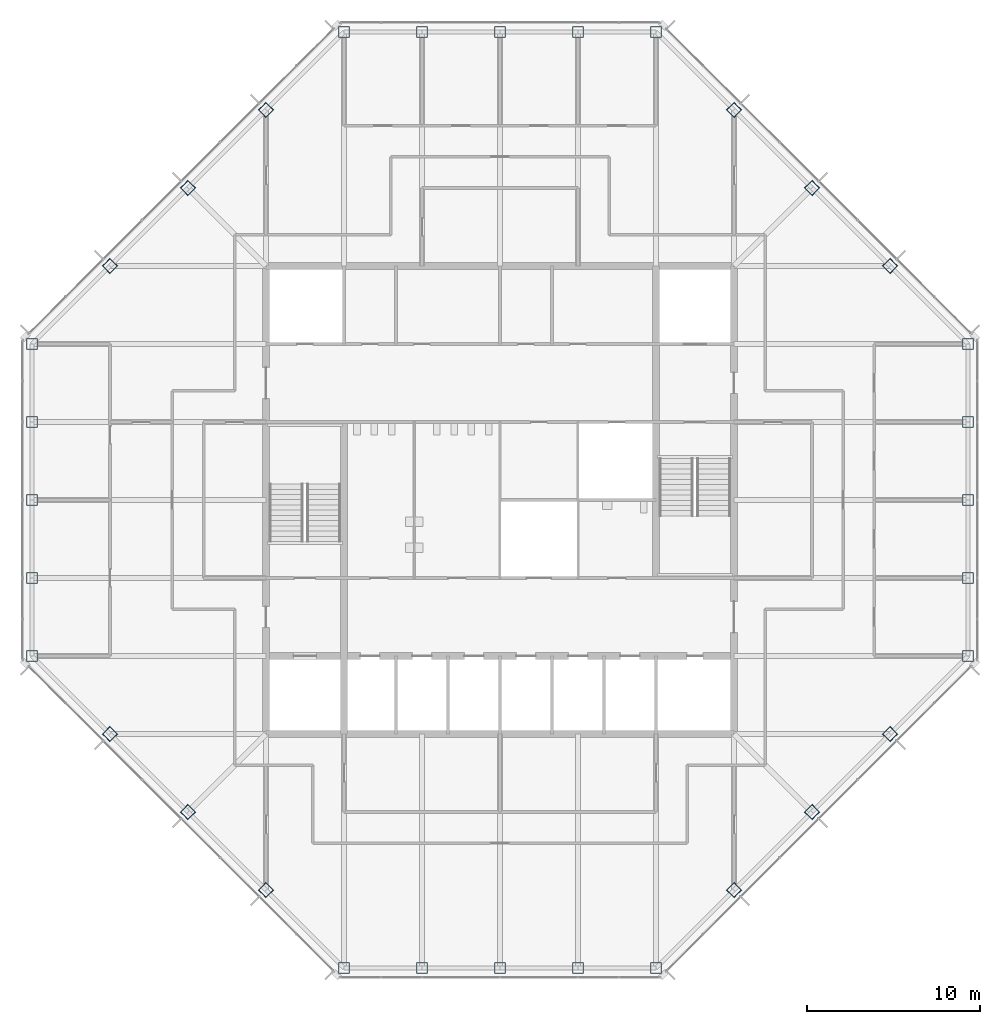
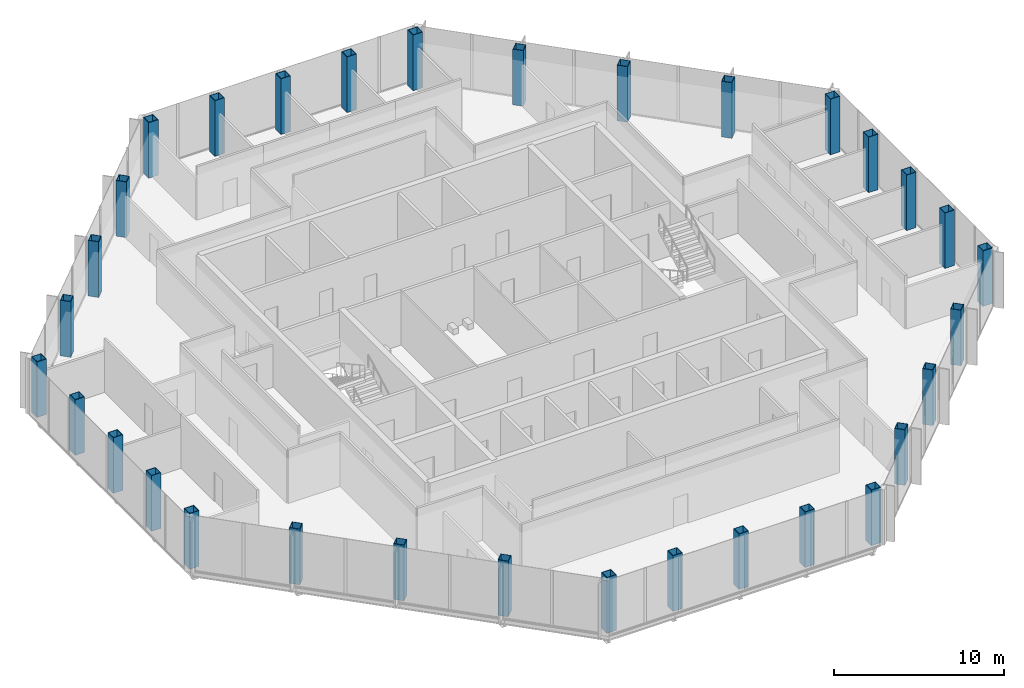
# One storey, part 1 of 14: 32 columns.
"""IFC4 building model written with IfcOpenShell, lengths in metres."""

from ifc_helpers import new_model, si_unit, direction, frame, origin, origin_2d, place, context, subcontext, project, spatial, hollow_rectangle, extrude, material, material_profile, profile_set, type_object, element, save


model = new_model("IFC4")

# Units and contexts
model_context = context("Model", 3, precision=1e-05, world=origin(), true_north=direction((0.0, 1.0)))
body_context = subcontext(model_context, "Body", "Model", "MODEL_VIEW")
ifc_project = project(units=[si_unit("LENGTHUNIT", "METRE"), si_unit("AREAUNIT", "SQUARE_METRE"), si_unit("VOLUMEUNIT", "CUBIC_METRE"), si_unit("PLANEANGLEUNIT", "RADIAN"), si_unit("MASSUNIT", "GRAM", prefix="KILO")], contexts=[model_context])

# Site, building, storey
site_placement = place(None, origin())
site = spatial("IfcSite", under=ifc_project, at=site_placement, CompositionType="ELEMENT")
building_placement = place(site_placement, origin())
building = spatial("IfcBuilding", under=site, at=building_placement, Name="Corais Broadcast Tower", CompositionType="ELEMENT")
storey_placement = place(building_placement, frame((0.0, 0.0, 218.60009765625)))
storey = spatial("IfcBuildingStorey", under=building, at=storey_placement, Name="L50", CompositionType="ELEMENT", Elevation=218.60009765625)

# Columns
ifc_material = material(Name="Steel ASTM A572 Grade 50", Category="steel")
ifc_material_profile = material_profile(ifc_material, hollow_rectangle(XDim=0.64990234375, YDim=0.64990234375, WallThickness=0.031982421875, at=origin_2d()), Name="BOX 650x650x32")
ifc_profile_set = profile_set([ifc_material_profile], Name="Steel ASTM A572 Grade 50")
column_type = type_object("IfcColumnType", Name="Column BOX 650x650x32", PredefinedType="COLUMN", material=ifc_profile_set)
for number, where, z_axis, x_axis, name in (
    (1, (18.0, 0.0, 0.0), (0.0, 0.0, 1.0), (1.0, 0.0, 0.0), "C6 A/7"),
    (2, (22.5, 0.0, 0.0), (0.0, 0.0, 1.0), (1.0, 0.0, 0.0), "C6 A/8"),
    (3, (27.0, 0.0, 0.0), (0.0, 0.0, 1.0), (1.0, 0.0, 0.0), "C6 A/9"),
    (4, (31.5, 0.0, 0.0), (0.0, 0.0, 1.0), (1.0, 0.0, 0.0), "C6 A/10"),
    (5, (36.0, 0.0, 0.0), (0.0, 0.0, 1.0), (1.0, 0.0, 0.0), "C6 A/11"),
    (6, (54.0, 18.0, 0.0), (0.0, 0.0, 1.0), (1.0, 0.0, 0.0), "C6 E/15"),
    (7, (54.0, 22.5, 0.0), (0.0, 0.0, 1.0), (1.0, 0.0, 0.0), "C6 F/15"),
    (8, (54.0, 27.0, 0.0), (0.0, 0.0, 1.0), (1.0, 0.0, 0.0), "C6 G/15"),
    (9, (54.0, 31.5, 0.0), (0.0, 0.0, 1.0), (1.0, 0.0, 0.0), "C6 H/15"),
    (10, (54.0, 36.0, 0.0), (0.0, 0.0, 1.0), (1.0, 0.0, 0.0), "C6 J/15"),
    (11, (36.0, 54.0, 0.0), (0.0, 0.0, 1.0), (1.0, 0.0, 0.0), "C6 N/11"),
    (12, (31.5, 54.0, 0.0), (0.0, 0.0, 1.0), (1.0, 0.0, 0.0), "C6 N/10"),
    (13, (27.0, 54.0, 0.0), (0.0, 0.0, 1.0), (1.0, 0.0, 0.0), "C6 N/9"),
    (14, (22.5, 54.0, 0.0), (0.0, 0.0, 1.0), (1.0, 0.0, 0.0), "C6 N/8"),
    (15, (18.0, 54.0, 0.0), (0.0, 0.0, 1.0), (1.0, 0.0, 0.0), "C6 N/7"),
    (16, (0.0, 36.0, 0.0), (0.0, 0.0, 1.0), (1.0, 0.0, 0.0), "C6 J/3"),
    (17, (0.0, 31.5, 0.0), (0.0, 0.0, 1.0), (1.0, 0.0, 0.0), "C6 H/3"),
    (18, (0.0, 27.0, 0.0), (0.0, 0.0, 1.0), (1.0, 0.0, 0.0), "C6 G/3"),
    (19, (0.0, 22.5, 0.0), (0.0, 0.0, 1.0), (1.0, 0.0, 0.0), "C6 F/3"),
    (20, (0.0, 18.0, 0.0), (0.0, 0.0, 1.0), (1.0, 0.0, 0.0), "C6 E/3"),
    (21, (13.5, 4.5, 0.0), (0.0, 0.0, 1.0), (0.707106781187, 0.707106781187, 0.0), "C6 B/6"),
    (22, (9.0, 9.0, 0.0), (0.0, 0.0, 1.0), (0.707106781187, 0.707106781187, 0.0), "C6 C/5"),
    (23, (4.5, 13.5, 0.0), (0.0, 0.0, 1.0), (0.707106781187, 0.707106781187, 0.0), "C6 D/4"),
    (24, (40.5, 4.5, 0.0), (0.0, 0.0, 1.0), (0.707106781187, 0.707106781187, 0.0), "C6 B/12"),
    (25, (45.0, 9.0, 0.0), (0.0, 0.0, 1.0), (0.707106781187, 0.707106781187, 0.0), "C6 C/13"),
    (26, (49.5, 13.5, 0.0), (0.0, 0.0, 1.0), (0.707106781187, 0.707106781187, 0.0), "C6 D/14"),
    (27, (49.5, 40.5, 0.0), (0.0, 0.0, 1.0), (0.707106781187, 0.707106781187, 0.0), "C6 K/14"),
    (28, (45.0, 45.0, 0.0), (0.0, 0.0, 1.0), (0.707106781187, 0.707106781187, 0.0), "C6 L/13"),
    (29, (40.5, 49.5, 0.0), (0.0, 0.0, 1.0), (0.707106781187, 0.707106781187, 0.0), "C6 M/12"),
    (30, (4.5, 40.5, 0.0), (0.0, 0.0, 1.0), (0.707106781187, 0.707106781187, 0.0), "C6 K/4"),
    (31, (9.0, 45.0, 0.0), (0.0, 0.0, 1.0), (0.707106781187, 0.707106781187, 0.0), "C6 L/5"),
    (32, (13.5, 49.5, 0.0), (0.0, 0.0, 1.0), (0.707106781187, 0.707106781187, 0.0), "C6 M/6"),
):
    element("IfcColumn", number, at=place(storey_placement, frame(where, z_axis=z_axis, x_axis=x_axis)), inside=storey, type_object=column_type, Name=name, PredefinedType="COLUMN", context=body_context, shape_type="SweptSolid", body=[
        extrude(hollow_rectangle(XDim=0.64990234375, YDim=0.64990234375, WallThickness=0.031982421875, at=origin_2d()), origin(), (0.0, 0.0, 1.0), 4.0),
    ])

save(model, "model.ifc")
